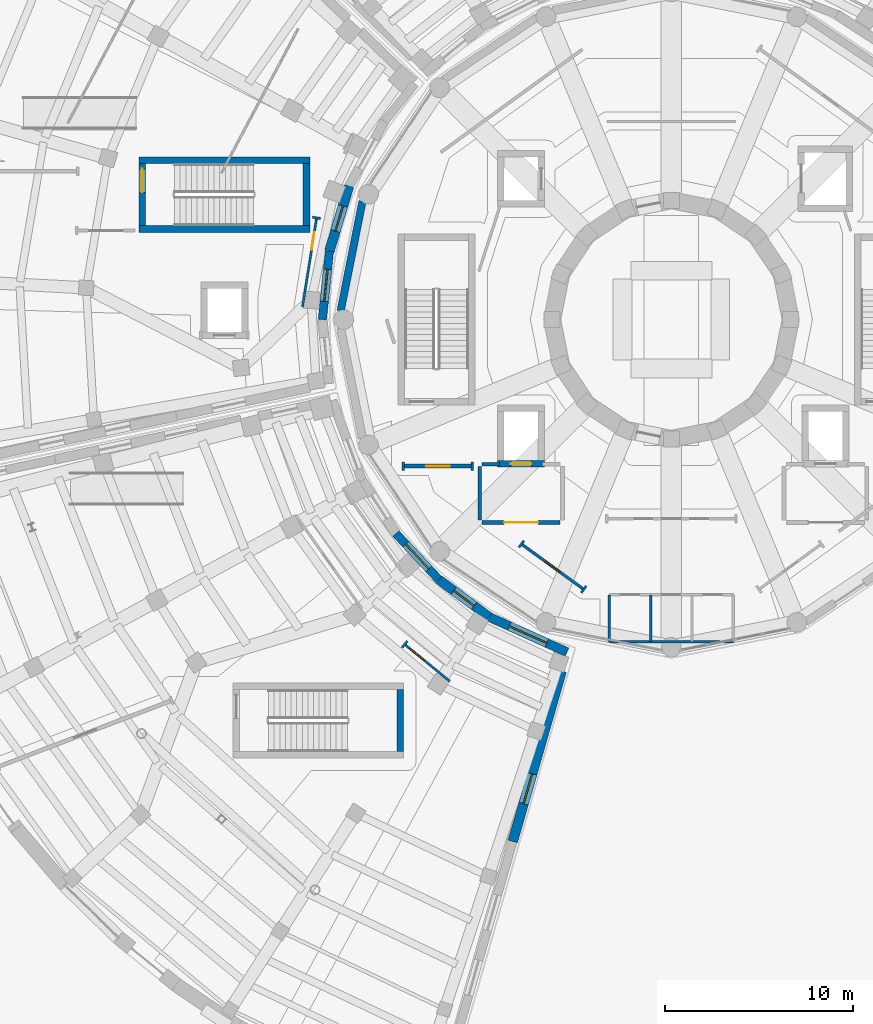
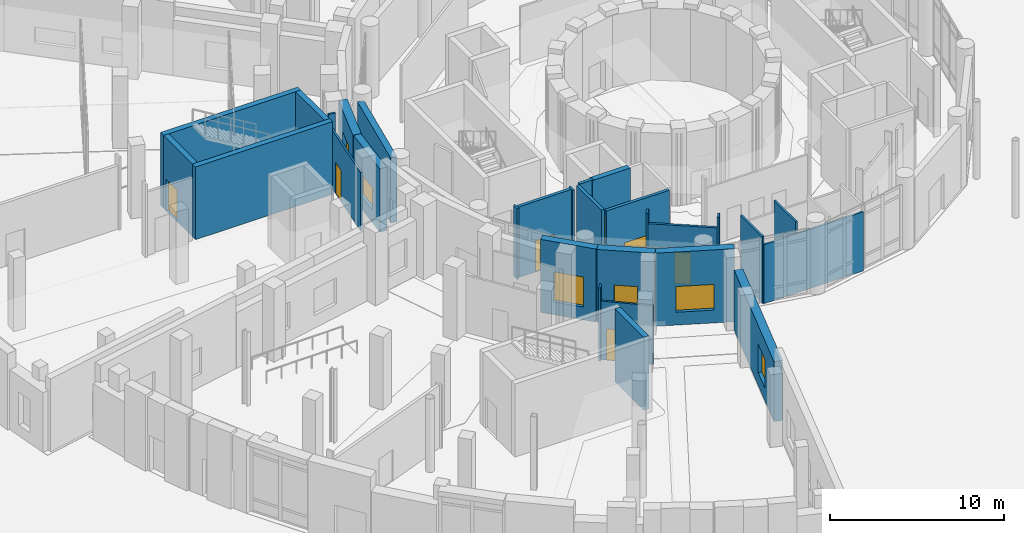
# One storey, part 43 of 74: 29 walls, 7 doors, 6 windows, 13 openings.
"""IFC4 building model written with IfcOpenShell, lengths in metres."""

from ifc_helpers import new_model, si_unit, direction, frame, frame_2d, origin, place, context, subcontext, project, spatial, rectangle, extrude, material, layer, layer_set, type_object, element, fill, save


model = new_model("IFC4")

# Units and contexts
model_context = context("Model", 3, precision=1e-05, world=origin(), true_north=direction((0.0, 1.0)))
body_context = subcontext(model_context, "Body", "Model", "MODEL_VIEW")
ifc_project = project(units=[si_unit("LENGTHUNIT", "METRE"), si_unit("AREAUNIT", "SQUARE_METRE"), si_unit("VOLUMEUNIT", "CUBIC_METRE"), si_unit("PLANEANGLEUNIT", "RADIAN"), si_unit("MASSUNIT", "GRAM", prefix="KILO")], contexts=[model_context])

# Site, building, storey
site_placement = place(None, origin())
site = spatial("IfcSite", under=ifc_project, at=site_placement, CompositionType="ELEMENT")
building_placement = place(site_placement, origin())
building = spatial("IfcBuilding", under=site, at=building_placement, Name="Soyqirgoq Riverine Aquarium", CompositionType="ELEMENT")
storey_placement = place(building_placement, origin())
storey = spatial("IfcBuildingStorey", under=building, at=storey_placement, Name="L01", CompositionType="ELEMENT", Elevation=0.0)

# Wall, opening, door
ifc_material_1 = material(Name="Concrete C40/50", Category="concrete")
ifc_layer_1 = layer(ifc_material_1, 0.35009765625)
ifc_layer_set_1 = layer_set([ifc_layer_1], Name="Concrete C40/50")
wall_type_1 = type_object("IfcWallType", Name="CoreShearWall_350_C40", PredefinedType="SHEAR", material=ifc_layer_set_1)
wall_1_placement = place(storey_placement, frame((46.7451171875, 49.320068359375, 0.0), z_axis=(0.0, 0.0, 1.0), x_axis=(1.0, 0.0, 0.0)))
wall_1 = element("IfcWall", 1, at=wall_1_placement, inside=storey, type_object=wall_type_1, Name="Lift FFL-2 Shaft Wall L01 1", PredefinedType="SHEAR", context=body_context, shape_type="SweptSolid", body=[
    extrude(rectangle(XDim=2.509765625, YDim=0.35009765625, at=frame_2d((1.2548828125, 0.0))), origin(), (0.0, 0.0, 1.0), 5.050048828125),
])
opening_1_placement = place(wall_1_placement, frame((0.705078125, 0.0, 0.0)))
opening_1 = element("IfcOpeningElement", 2, at=opening_1_placement, cuts=wall_1, Name="Opening LD-01", PredefinedType="OPENING", context=body_context, shape_type="SweptSolid", body=[
    extrude(rectangle(XDim=1.10009765625, YDim=2.199951171875, at=frame_2d((0.550048828125, 1.10009765625))), frame((0.0, 0.18505859375, 0.0), z_axis=(0.0, -1.0, 0.0), x_axis=(1.0, 0.0, 0.0)), (0.0, 0.0, 1.0), 0.3701171875),
])
ifc_material_2 = material(Name="Brushed stainless steel telescopic lift landing door", Category="steel")
door_type_1 = type_object("IfcDoorType", Name="LiftLandingDoor_1100x2200", OperationType="SLIDING_TO_LEFT", PredefinedType="DOOR", material=ifc_material_2)
door_1_placement = place(opening_1_placement, origin())
door_1 = element("IfcDoor", 3, at=door_1_placement, inside=storey, type_object=door_type_1, Name="LD-FFL-2-L01 Lift FFL-2 L01 Sliding Landing Door", OperationType="SLIDING_TO_LEFT", OverallHeight=2.199951171875, OverallWidth=1.10009765625, PredefinedType="DOOR", context=body_context, shape_type="SweptSolid", body=[
    extrude(rectangle(XDim=1.10009765625, YDim=2.199951171875, at=frame_2d((0.550048828125, 1.10009765625))), frame((0.0, 0.02490234375, 0.0), z_axis=(0.0, -1.0, 0.0), x_axis=(1.0, 0.0, 0.0)), (0.0, 0.0, 1.0), 0.050048828125),
])
fill(opening_1, door_1)

# Walls
wall_2_placement = place(storey_placement, frame((41.574951171875, 34.0, 0.0), z_axis=(0.0, 0.0, 1.0), x_axis=(0.0, 1.0, 0.0)))
element("IfcWall", 4, at=wall_2_placement, inside=storey, type_object=wall_type_1, Name="CORE-2 L01 Stair Core Shear Wall BACK", PredefinedType="SHEAR", context=body_context, shape_type="SweptSolid", body=[
    extrude(rectangle(XDim=3.300048828125, YDim=0.35009765625, at=frame_2d((1.64990234375, 0.0))), origin(), (0.0, 0.0, 1.0), 5.1201171875),
])
wall_3_placement = place(storey_placement, frame((27.64990234375, 61.824951171875, 0.0), z_axis=(0.0, 0.0, 1.0), x_axis=(1.0, 0.0, 0.0)))
element("IfcWall", 5, at=wall_3_placement, inside=storey, type_object=wall_type_1, Name="CORE-3 L01 Stair Core Shear Wall SIDE1", PredefinedType="SHEAR", context=body_context, shape_type="SweptSolid", body=[
    extrude(rectangle(XDim=9.10009765625, YDim=0.35009765625, at=frame_2d((4.550048828125, 0.0))), origin(), (0.0, 0.0, 1.0), 5.10009765625),
])
wall_4_placement = place(storey_placement, frame((36.574951171875, 62.0, 0.0), z_axis=(0.0, 0.0, 1.0), x_axis=(0.0, 1.0, 0.0)))
element("IfcWall", 6, at=wall_4_placement, inside=storey, type_object=wall_type_1, Name="CORE-3 L01 Stair Core Shear Wall BACK", PredefinedType="SHEAR", context=body_context, shape_type="SweptSolid", body=[
    extrude(rectangle(XDim=3.300048828125, YDim=0.35009765625, at=frame_2d((1.64990234375, 0.0))), origin(), (0.0, 0.0, 1.0), 5.10009765625),
])
wall_5_placement = place(storey_placement, frame((36.75, 65.47509765625, 0.0), z_axis=(0.0, 0.0, 1.0), x_axis=(-1.0, 0.0, 0.0)))
element("IfcWall", 7, at=wall_5_placement, inside=storey, type_object=wall_type_1, Name="CORE-3 L01 Stair Core Shear Wall SIDE2", PredefinedType="SHEAR", context=body_context, shape_type="SweptSolid", body=[
    extrude(rectangle(XDim=9.10009765625, YDim=0.35009765625, at=frame_2d((4.550048828125, 0.0))), origin(), (0.0, 0.0, 1.0), 5.10009765625),
])

# Wall, opening, door
wall_6_placement = place(storey_placement, frame((27.824951171875, 65.300048828125, 0.0), z_axis=(0.0, 0.0, 1.0), x_axis=(0.0, -1.0, 0.0)))
wall_6 = element("IfcWall", 8, at=wall_6_placement, inside=storey, type_object=wall_type_1, Name="CORE-3 L01 Stair Core Shear Wall FRONT", PredefinedType="SHEAR", context=body_context, shape_type="SweptSolid", body=[
    extrude(rectangle(XDim=3.300048828125, YDim=0.35009765625, at=frame_2d((1.64990234375, 0.0))), origin(), (0.0, 0.0, 1.0), 5.10009765625),
])
opening_2_placement = place(wall_6_placement, frame((0.280029296875, 0.0, 0.0)))
opening_2 = element("IfcOpeningElement", 9, at=opening_2_placement, cuts=wall_6, Name="Opening FD-01", PredefinedType="OPENING", context=body_context, shape_type="SweptSolid", body=[
    extrude(rectangle(XDim=1.25, YDim=2.199951171875, at=frame_2d((0.625, 1.10009765625))), frame((0.0, 0.18505859375, 0.0), z_axis=(0.0, -1.0, 0.0), x_axis=(1.0, 0.0, 0.0)), (0.0, 0.0, 1.0), 0.3701171875),
])
ifc_material_3 = material(Name="Galvanised steel fire-resisting stair door", Category="steel")
door_type_2 = type_object("IfcDoorType", Name="StairFireDoor_1250x2200_EI90", OperationType="NOTDEFINED", PredefinedType="DOOR", material=ifc_material_3)
door_2_placement = place(opening_2_placement, origin())
door_2 = element("IfcDoor", 10, at=door_2_placement, inside=storey, type_object=door_type_2, Name="DR-ST-3-L01 ST-3 L01 Fire-Rated Stairwell Door", OperationType="SINGLE_SWING_RIGHT", OverallHeight=2.199951171875, OverallWidth=1.25, PredefinedType="DOOR", context=body_context, shape_type="SweptSolid", body=[
    extrude(rectangle(XDim=1.25, YDim=2.199951171875, at=frame_2d((0.625, 1.10009765625))), frame((0.0, 0.02490234375, 0.0), z_axis=(0.0, -1.0, 0.0), x_axis=(1.0, 0.0, 0.0)), (0.0, 0.0, 1.0), 0.050048828125),
])
fill(opening_2, door_2)

# Walls
ifc_material_4 = material(Name="Lightweight steel-stud gypsum partition", Category="steel")
ifc_layer_2 = layer(ifc_material_4, 0.1201171875)
ifc_layer_set_2 = layer_set([ifc_layer_2], Name="Lightweight steel-stud gypsum partition")
wall_type_2 = type_object("IfcWallType", Name="PartitionWall_120_Std", PredefinedType="PARTITIONING", material=ifc_layer_set_2)
for number, where, z_axis, x_axis, name in (
    (11, (41.723388671875, 48.97998046875, 0.0), (0.0, 0.0, 1.0), (0.0, 1.0, 0.0), "V1 L01 Jamb Return Pier"),
    (12, (45.39990234375, 48.97998046875, 0.0), (0.0, 0.0, 1.0), (0.0, 1.0, 0.0), "V1 L01 Jamb Return Pier"),
    (13, (47.885986328125, 44.8720703125, 0.0), (0.0, 0.0, 1.0), (0.587676645097, 0.809095890984, 0.0), "V1 L01 Jamb Return Pier"),
    (14, (51.20458984375, 42.4609375, 0.0), (0.0, 0.0, 1.0), (0.587676645097, 0.809095890984, 0.0), "V1 L01 Jamb Return Pier"),
):
    element("IfcWall", number, at=place(storey_placement, frame(where, z_axis=z_axis, x_axis=x_axis)), inside=storey, type_object=wall_type_2, Name=name, PredefinedType="PARTITIONING", context=body_context, shape_type="SweptSolid", body=[
        extrude(rectangle(XDim=0.43994140625, YDim=0.1201171875, at=frame_2d((0.219970703125, 0.0))), origin(), (0.0, 0.0, 1.0), 4.949951171875),
    ])

# Wall, opening, door
wall_7_placement = place(storey_placement, frame((44.201904296875, 37.747314453125, 0.0), z_axis=(0.0, 0.0, 1.0), x_axis=(-0.77442350194, 0.632667558552, 0.0)))
wall_7 = element("IfcWall", 15, at=wall_7_placement, inside=storey, type_object=wall_type_2, Name="Riverine Cafe Partition Wall", PredefinedType="PARTITIONING", context=body_context, shape_type="SweptSolid", body=[
    extrude(rectangle(XDim=3.101806640625, YDim=0.1201171875, at=frame_2d((1.55078125, 0.0))), origin(), (0.0, 0.0, 1.0), 4.110107421875),
])
opening_3_placement = place(wall_7_placement, frame((1.764404296875, 0.0, 0.0)))
opening_3 = element("IfcOpeningElement", 16, at=opening_3_placement, cuts=wall_7, Name="Opening ID-06", PredefinedType="OPENING", context=body_context, shape_type="SweptSolid", body=[
    extrude(rectangle(XDim=0.949951171875, YDim=2.199951171875, at=frame_2d((0.47509765625, 1.10009765625))), frame((0.0, 0.070068359375, 0.0), z_axis=(0.0, -1.0, 0.0), x_axis=(1.0, 0.0, 0.0)), (0.0, 0.0, 1.0), 0.14013671875),
])
ifc_material_5 = material(Name="Moisture-resistant HPL washroom door", Category="wood")
door_type_3 = type_object("IfcDoorType", Name="WCDoor_950x2200", OperationType="NOTDEFINED", PredefinedType="DOOR", material=ifc_material_5)
door_3_placement = place(opening_3_placement, origin())
door_3 = element("IfcDoor", 17, at=door_3_placement, inside=storey, type_object=door_type_3, Name="IDR-V2-L01-0083 Riverine Cafe Access Door", OperationType="SINGLE_SWING_LEFT", OverallHeight=2.199951171875, OverallWidth=0.949951171875, PredefinedType="DOOR", context=body_context, shape_type="SweptSolid", body=[
    extrude(rectangle(XDim=0.949951171875, YDim=2.199951171875, at=frame_2d((0.47509765625, 1.10009765625))), frame((0.0, 0.02490234375, 0.0), z_axis=(0.0, -1.0, 0.0), x_axis=(1.0, 0.0, 0.0)), (0.0, 0.0, 1.0), 0.050048828125),
])
fill(opening_3, door_3)

# Wall
wall_8_placement = place(storey_placement, frame((41.939208984375, 39.8798828125, 0.0), z_axis=(0.0, 0.0, 1.0), x_axis=(-0.633116917807, -0.774056179089, 0.0)))
element("IfcWall", 18, at=wall_8_placement, inside=storey, type_object=wall_type_2, Name="V2 L01 Jamb Return Pier", PredefinedType="PARTITIONING", context=body_context, shape_type="SweptSolid", body=[
    extrude(rectangle(XDim=0.43994140625, YDim=0.1201171875, at=frame_2d((0.219970703125, 0.0))), origin(), (0.0, 0.0, 1.0), 5.1201171875),
])

# Wall, opening, door
wall_9_placement = place(storey_placement, frame((36.362060546875, 57.685791015625, 0.0), z_axis=(0.0, 0.0, 1.0), x_axis=(0.156391852422, 0.987695088829, 0.0)))
wall_9 = element("IfcWall", 19, at=wall_9_placement, inside=storey, type_object=wall_type_2, Name="V3 Gallery Circulation Corridor Partition Wall", PredefinedType="PARTITIONING", context=body_context, shape_type="SweptSolid", body=[
    extrude(rectangle(XDim=4.789306640625, YDim=0.1201171875, at=frame_2d((2.39453125, 0.0))), origin(), (0.0, 0.0, 1.0), 4.090087890625),
])
opening_4_placement = place(wall_9_placement, frame((3.071533203125, 0.0, 0.0)))
opening_4 = element("IfcOpeningElement", 20, at=opening_4_placement, cuts=wall_9, Name="Opening ID-06", PredefinedType="OPENING", context=body_context, shape_type="SweptSolid", body=[
    extrude(rectangle(XDim=0.949951171875, YDim=2.199951171875, at=frame_2d((0.47509765625, 1.10009765625))), frame((0.0, 0.070068359375, 0.0), z_axis=(0.0, -1.0, 0.0), x_axis=(1.0, 0.0, 0.0)), (0.0, 0.0, 1.0), 0.14013671875),
])
door_4_placement = place(opening_4_placement, origin())
door_4 = element("IfcDoor", 21, at=door_4_placement, inside=storey, type_object=door_type_3, Name="IDR-V3-L01-0093 Riverine Gallery Door", OperationType="SINGLE_SWING_RIGHT", OverallHeight=2.199951171875, OverallWidth=0.949951171875, PredefinedType="DOOR", context=body_context, shape_type="SweptSolid", body=[
    extrude(rectangle(XDim=0.949951171875, YDim=2.199951171875, at=frame_2d((0.47509765625, 1.10009765625))), frame((0.0, 0.02490234375, 0.0), z_axis=(0.0, -1.0, 0.0), x_axis=(1.0, 0.0, 0.0)), (0.0, 0.0, 1.0), 0.050048828125),
])
fill(opening_4, door_4)

# Walls
wall_10_placement = place(storey_placement, frame((37.32861328125, 62.3818359375, 0.0), z_axis=(0.0, 0.0, 1.0), x_axis=(-0.987695424831, 0.156389730378, 0.0)))
element("IfcWall", 22, at=wall_10_placement, inside=storey, type_object=wall_type_2, Name="V3 L01 Jamb Return Pier", PredefinedType="PARTITIONING", context=body_context, shape_type="SweptSolid", body=[
    extrude(rectangle(XDim=0.440185546875, YDim=0.1201171875, at=frame_2d((0.22021484375, 0.0))), origin(), (0.0, 0.0, 1.0), 5.10009765625),
])
ifc_material_6 = material(Name="Moisture-resistant cement-board wet-room partition", Category="gypsum")
ifc_layer_3 = layer(ifc_material_6, 0.125)
ifc_layer_set_3 = layer_set([ifc_layer_3], Name="Moisture-resistant cement-board wet-room partition")
wall_type_3 = type_object("IfcWallType", Name="PartitionWall_125_Wet", PredefinedType="PARTITIONING", material=ifc_layer_set_3)
wall_11_placement = place(storey_placement, frame((52.699951171875, 39.85009765625, 0.0), z_axis=(0.0, 0.0, 1.0), x_axis=(1.0, 0.0, 0.0)))
element("IfcWall", 23, at=wall_11_placement, inside=storey, type_object=wall_type_3, Name="V1 L01 WC Suite Back Wall", PredefinedType="PARTITIONING", context=body_context, shape_type="SweptSolid", body=[
    extrude(rectangle(XDim=6.60009765625, YDim=0.125, at=frame_2d((3.300048828125, 0.0))), origin(), (0.0, 0.0, 1.0), 4.139892578125),
])
wall_12_placement = place(storey_placement, frame((52.699951171875, 39.85009765625, 0.0), z_axis=(0.0, 0.0, 1.0), x_axis=(0.0, 1.0, 0.0)))
element("IfcWall", 24, at=wall_12_placement, inside=storey, type_object=wall_type_3, Name="V1 L01 WC Suite West Wall", PredefinedType="PARTITIONING", context=body_context, shape_type="SweptSolid", body=[
    extrude(rectangle(XDim=2.5, YDim=0.125, at=frame_2d((1.25, 0.0))), origin(), (0.0, 0.0, 1.0), 4.679931640625),
])
wall_13_placement = place(storey_placement, frame((54.89990234375, 39.85009765625, 0.0), z_axis=(0.0, 0.0, 1.0), x_axis=(0.0, 1.0, 0.0)))
element("IfcWall", 25, at=wall_13_placement, inside=storey, type_object=wall_type_3, Name="V1 L01 WC Cubicle Divider 1", PredefinedType="PARTITIONING", context=body_context, shape_type="SweptSolid", body=[
    extrude(rectangle(XDim=2.5, YDim=0.125, at=frame_2d((1.25, 0.0))), origin(), (0.0, 0.0, 1.0), 4.949951171875),
])

# Wall, opening, door
ifc_material_7 = material(Name="Acoustic mineral-wool twin-stud partition", Category="gypsum")
ifc_layer_4 = layer(ifc_material_7, 0.14990234375)
ifc_layer_set_4 = layer_set([ifc_layer_4], Name="Acoustic mineral-wool twin-stud partition")
wall_type_4 = type_object("IfcWallType", Name="PartitionWall_150_Acoustic", PredefinedType="PARTITIONING", material=ifc_layer_set_4)
wall_14_placement = place(storey_placement, frame((48.015380859375, 45.050048828125, 0.0), z_axis=(0.0, 0.0, 1.0), x_axis=(0.808993389874, -0.587817739729, 0.0)))
wall_14 = element("IfcWall", 26, at=wall_14_placement, inside=storey, type_object=wall_type_4, Name="Ocean Drum Circulation Corridor Partition Wall", PredefinedType="PARTITIONING", context=body_context, shape_type="SweptSolid", body=[
    extrude(rectangle(XDim=4.101806640625, YDim=0.14990234375, at=frame_2d((2.05078125, 0.0))), origin(), (0.0, 0.0, 1.0), 4.1201171875),
])
opening_5_placement = place(wall_14_placement, frame((1.575927734375, 0.0, 0.0)))
opening_5 = element("IfcOpeningElement", 27, at=opening_5_placement, cuts=wall_14, Name="Opening ID-06", PredefinedType="OPENING", context=body_context, shape_type="SweptSolid", body=[
    extrude(rectangle(XDim=0.949951171875, YDim=2.199951171875, at=frame_2d((0.47509765625, 1.10009765625))), frame((0.0, 0.0849609375, 0.0), z_axis=(0.0, -1.0, 0.0), x_axis=(1.0, 0.0, 0.0)), (0.0, 0.0, 1.0), 0.169921875),
])
door_5_placement = place(opening_5_placement, origin())
door_5 = element("IfcDoor", 28, at=door_5_placement, inside=storey, type_object=door_type_3, Name="IDR-V1-L01-0020 Ocean Tank Viewing Hall Access Door", OperationType="SINGLE_SWING_RIGHT", OverallHeight=2.199951171875, OverallWidth=0.949951171875, PredefinedType="DOOR", context=body_context, shape_type="SweptSolid", body=[
    extrude(rectangle(XDim=0.949951171875, YDim=2.199951171875, at=frame_2d((0.47509765625, 1.10009765625))), frame((0.0, 0.02490234375, 0.0), z_axis=(0.0, -1.0, 0.0), x_axis=(1.0, 0.0, 0.0)), (0.0, 0.0, 1.0), 0.050048828125),
])
fill(opening_5, door_5)

ifc_material_8 = material(Name="Fire-rated calcium silicate twin-stud partition", Category="gypsum")
ifc_layer_5 = layer(ifc_material_8, 0.199951171875)
ifc_layer_set_5 = layer_set([ifc_layer_5], Name="Fire-rated calcium silicate twin-stud partition")
wall_type_5 = type_object("IfcWallType", Name="PartitionWall_200_EI90", PredefinedType="PARTITIONING", material=ifc_layer_set_5)
wall_15_placement = place(storey_placement, frame((45.919921875, 46.199951171875, 0.0), z_axis=(0.0, 0.0, 1.0), x_axis=(1.0, 0.0, 0.0)))
wall_15 = element("IfcWall", 29, at=wall_15_placement, inside=storey, type_object=wall_type_5, Name="CORE-1B L01 Firefighting Lobby South Enclosure Wall", PredefinedType="PARTITIONING", context=body_context, shape_type="SweptSolid", body=[
    extrude(rectangle(XDim=4.16015625, YDim=0.199951171875, at=frame_2d((2.080078125, 0.0))), origin(), (0.0, 0.0, 1.0), 5.050048828125),
])
opening_6_placement = place(wall_15_placement, frame((1.179931640625, 0.0, 0.0)))
opening_6 = element("IfcOpeningElement", 30, at=opening_6_placement, cuts=wall_15, Name="Opening FD-02", PredefinedType="OPENING", context=body_context, shape_type="SweptSolid", body=[
    extrude(rectangle(XDim=1.800048828125, YDim=2.39990234375, at=frame_2d((0.89990234375, 1.199951171875))), frame((0.0, 0.10986328125, 0.0), z_axis=(0.0, -1.0, 0.0), x_axis=(1.0, 0.0, 0.0)), (0.0, 0.0, 1.0), 0.219970703125),
])
ifc_material_9 = material(Name="Glazed steel fire-resisting corridor double door", Category="steel")
door_type_4 = type_object("IfcDoorType", Name="LobbyFireDoor_1800x2400_EI60", OperationType="DOUBLE_DOOR_SINGLE_SWING", PredefinedType="DOOR", material=ifc_material_9)
door_6_placement = place(opening_6_placement, origin())
door_6 = element("IfcDoor", 31, at=door_6_placement, inside=storey, type_object=door_type_4, Name="DR-FFL-CORE-1B-L01 CORE-1B L01 Firefighting Lobby Fire Door", OperationType="DOUBLE_DOOR_SINGLE_SWING", OverallHeight=2.39990234375, OverallWidth=1.800048828125, PredefinedType="DOOR", context=body_context, shape_type="SweptSolid", body=[
    extrude(rectangle(XDim=1.800048828125, YDim=2.39990234375, at=frame_2d((0.89990234375, 1.199951171875))), frame((0.0, 0.02490234375, 0.0), z_axis=(0.0, -1.0, 0.0), x_axis=(1.0, 0.0, 0.0)), (0.0, 0.0, 1.0), 0.050048828125),
])
fill(opening_6, door_6)

# Walls
wall_16_placement = place(storey_placement, frame((45.800048828125, 46.320068359375, 0.0), z_axis=(0.0, 0.0, 1.0), x_axis=(0.0, 1.0, 0.0)))
element("IfcWall", 32, at=wall_16_placement, inside=storey, type_object=wall_type_5, Name="CORE-1B L01 Firefighting Lobby W Wall", PredefinedType="PARTITIONING", context=body_context, shape_type="SweptSolid", body=[
    extrude(rectangle(XDim=2.85986328125, YDim=0.199951171875, at=frame_2d((1.429931640625, 0.0))), origin(), (0.0, 0.0, 1.0), 5.050048828125),
])
wall_17_placement = place(storey_placement, frame((45.919921875, 49.300048828125, 0.0), z_axis=(0.0, 0.0, 1.0), x_axis=(1.0, 0.0, 0.0)))
element("IfcWall", 33, at=wall_17_placement, inside=storey, type_object=wall_type_5, Name="CORE-1B L01 Firefighting Lobby NL Wall", PredefinedType="PARTITIONING", context=body_context, shape_type="SweptSolid", body=[
    extrude(rectangle(XDim=0.93017578125, YDim=0.199951171875, at=frame_2d((0.465087890625, 0.0))), origin(), (0.0, 0.0, 1.0), 5.050048828125),
])

# Wall, opening, door
wall_18_placement = place(storey_placement, frame((41.723388671875, 49.199951171875, 0.0), z_axis=(0.0, 0.0, 1.0), x_axis=(1.0, 0.0, 0.0)))
wall_18 = element("IfcWall", 34, at=wall_18_placement, inside=storey, type_object=wall_type_5, Name="Stair Vestibule ST-9 Fire Enclosure Wall", PredefinedType="PARTITIONING", context=body_context, shape_type="SweptSolid", body=[
    extrude(rectangle(XDim=3.676513671875, YDim=0.199951171875, at=frame_2d((1.83837890625, 0.0))), origin(), (0.0, 0.0, 1.0), 4.949951171875),
])
opening_7_placement = place(wall_18_placement, frame((1.21337890625, 0.0, 0.0)))
opening_7 = element("IfcOpeningElement", 35, at=opening_7_placement, cuts=wall_18, Name="Opening FD-01", PredefinedType="OPENING", context=body_context, shape_type="SweptSolid", body=[
    extrude(rectangle(XDim=1.25, YDim=2.199951171875, at=frame_2d((0.625, 1.10009765625))), frame((0.0, 0.10986328125, 0.0), z_axis=(0.0, -1.0, 0.0), x_axis=(1.0, 0.0, 0.0)), (0.0, 0.0, 1.0), 0.219970703125),
])
door_7_placement = place(opening_7_placement, origin())
door_7 = element("IfcDoor", 36, at=door_7_placement, inside=storey, type_object=door_type_2, Name="IDR-V1-L01-0016 Stair Vestibule ST-9 Egress Fire Door", OperationType="SINGLE_SWING_LEFT", OverallHeight=2.199951171875, OverallWidth=1.25, PredefinedType="DOOR", context=body_context, shape_type="SweptSolid", body=[
    extrude(rectangle(XDim=1.25, YDim=2.199951171875, at=frame_2d((0.625, 1.10009765625))), frame((0.0, 0.02490234375, 0.0), z_axis=(0.0, -1.0, 0.0), x_axis=(1.0, 0.0, 0.0)), (0.0, 0.0, 1.0), 0.050048828125),
])
fill(opening_7, door_7)

# Wall, opening, window
ifc_material_10 = material(Name="Honed travertine limestone cavity wall", Category="masonry")
ifc_layer_6 = layer(ifc_material_10, 0.449951171875)
ifc_layer_set_6 = layer_set([ifc_layer_6], Name="Honed travertine limestone cavity wall")
wall_type_6 = type_object("IfcWallType", Name="TravertineCavityWall_450", PredefinedType="SOLIDWALL", material=ifc_layer_set_6)
wall_19_placement = place(storey_placement, frame((41.333251953125, 45.609619140625, 0.0), z_axis=(0.0, 0.0, 1.0), x_axis=(0.681967080434, -0.731382869094, 0.0)))
wall_19 = element("IfcWall", 37, at=wall_19_placement, inside=storey, type_object=wall_type_6, Name="V2 L01 Exterior Travertine Wall 0053", PredefinedType="SOLIDWALL", context=body_context, shape_type="SweptSolid", body=[
    extrude(rectangle(XDim=3.3447265625, YDim=0.449951171875, at=frame_2d((1.67236328125, 0.0))), origin(), (0.0, 0.0, 1.0), 5.1201171875),
])
opening_8_placement = place(wall_19_placement, frame((0.772216796875, 0.0, 0.89990234375)))
opening_8 = element("IfcOpeningElement", 38, at=opening_8_placement, cuts=wall_19, Name="Opening WN-05", PredefinedType="OPENING", context=body_context, shape_type="SweptSolid", body=[
    extrude(rectangle(XDim=1.800048828125, YDim=2.10009765625, at=frame_2d((0.89990234375, 1.050048828125))), frame((0.0, 0.23486328125, 0.0), z_axis=(0.0, -1.0, 0.0), x_axis=(1.0, 0.0, 0.0)), (0.0, 0.0, 1.0), 0.469970703125),
])
ifc_material_11 = material(Name="Thermally broken aluminium triple low-E window", Category="aluminium")
window_type_1 = type_object("IfcWindowType", Name="Win_Gallery_1800x2100", PartitioningType="DOUBLE_PANEL_VERTICAL", PredefinedType="WINDOW", material=ifc_material_11)
window_1_placement = place(opening_8_placement, origin())
window_1 = element("IfcWindow", 39, at=window_1_placement, inside=storey, type_object=window_type_1, Name="V2 L01 Facade Window 0023", OverallHeight=2.10009765625, OverallWidth=1.800048828125, PartitioningType="DOUBLE_PANEL_VERTICAL", PredefinedType="WINDOW", context=body_context, shape_type="SweptSolid", body=[
    extrude(rectangle(XDim=1.800048828125, YDim=2.10009765625, at=frame_2d((0.89990234375, 1.050048828125))), frame((0.0, 0.030029296875, 0.0), z_axis=(0.0, -1.0, 0.0), x_axis=(1.0, 0.0, 0.0)), (0.0, 0.0, 1.0), 0.06005859375),
])
fill(opening_8, window_1)

wall_20_placement = place(storey_placement, frame((37.791748046875, 60.6494140625, 0.0), z_axis=(0.0, 0.0, 1.0), x_axis=(-0.101618529077, -0.994823438882, 0.0)))
wall_20 = element("IfcWall", 40, at=wall_20_placement, inside=storey, type_object=wall_type_6, Name="V3 L01 Exterior Travertine Wall 0095", PredefinedType="SOLIDWALL", context=body_context, shape_type="SweptSolid", body=[
    extrude(rectangle(XDim=3.668701171875, YDim=0.449951171875, at=frame_2d((1.83447265625, 0.0))), origin(), (0.0, 0.0, 1.0), 4.43994140625),
])
opening_9_placement = place(wall_20_placement, frame((0.984375, 0.0, 0.89990234375)))
opening_9 = element("IfcOpeningElement", 41, at=opening_9_placement, cuts=wall_20, Name="Opening WN-21", PredefinedType="OPENING", context=body_context, shape_type="SweptSolid", body=[
    extrude(rectangle(XDim=1.699951171875, YDim=1.550048828125, at=frame_2d((0.85009765625, 0.77490234375))), frame((0.0, 0.23486328125, 0.0), z_axis=(0.0, -1.0, 0.0), x_axis=(1.0, 0.0, 0.0)), (0.0, 0.0, 1.0), 0.469970703125),
])
ifc_material_12 = material(Name="Thermally broken aluminium triple low-E window", Category="aluminium")
window_type_2 = type_object("IfcWindowType", Name="Win_Lab_1700x1550", PartitioningType="DOUBLE_PANEL_VERTICAL", PredefinedType="WINDOW", material=ifc_material_12)
window_2_placement = place(opening_9_placement, origin())
window_2 = element("IfcWindow", 42, at=window_2_placement, inside=storey, type_object=window_type_2, Name="V3 L01 Facade Window 0061", OverallHeight=1.550048828125, OverallWidth=1.699951171875, PartitioningType="DOUBLE_PANEL_VERTICAL", PredefinedType="WINDOW", context=body_context, shape_type="SweptSolid", body=[
    extrude(rectangle(XDim=1.699951171875, YDim=1.550048828125, at=frame_2d((0.85009765625, 0.77490234375))), frame((0.0, 0.030029296875, 0.0), z_axis=(0.0, -1.0, 0.0), x_axis=(1.0, 0.0, 0.0)), (0.0, 0.0, 1.0), 0.06005859375),
])
fill(opening_9, window_2)

ifc_material_13 = material(Name="Honed travertine limestone cavity wall", Category="masonry")
ifc_layer_7 = layer(ifc_material_13, 0.47998046875)
ifc_layer_set_7 = layer_set([ifc_layer_7], Name="Honed travertine limestone cavity wall")
wall_type_7 = type_object("IfcWallType", Name="TravertineCavityWall_480", PredefinedType="SOLIDWALL", material=ifc_layer_set_7)
wall_21_placement = place(storey_placement, frame((46.297119140625, 41.166259765625, 0.0), z_axis=(0.0, 0.0, 1.0), x_axis=(0.911600950939, -0.411076277894, 0.0)))
wall_21 = element("IfcWall", 43, at=wall_21_placement, inside=storey, type_object=wall_type_7, Name="V2 L01 Exterior Travertine Wall 0055", PredefinedType="SOLIDWALL", context=body_context, shape_type="SweptSolid", body=[
    extrude(rectangle(XDim=4.5498046875, YDim=0.47998046875, at=frame_2d((2.27490234375, 0.0))), origin(), (0.0, 0.0, 1.0), 5.1201171875),
])
opening_10_placement = place(wall_21_placement, frame((1.175048828125, 0.0, 0.89990234375)))
opening_10 = element("IfcOpeningElement", 44, at=opening_10_placement, cuts=wall_21, Name="Opening WN-09", PredefinedType="OPENING", context=body_context, shape_type="SweptSolid", body=[
    extrude(rectangle(XDim=2.199951171875, YDim=1.800048828125, at=frame_2d((1.10009765625, 0.89990234375))), frame((0.0, 0.25, 0.0), z_axis=(0.0, -1.0, 0.0), x_axis=(1.0, 0.0, 0.0)), (0.0, 0.0, 1.0), 0.5),
])
ifc_material_14 = material(Name="Thermally broken aluminium triple low-E window", Category="aluminium")
window_type_3 = type_object("IfcWindowType", Name="Win_Office_2200x1800", PartitioningType="TRIPLE_PANEL_VERTICAL", PredefinedType="WINDOW", material=ifc_material_14)
window_3_placement = place(opening_10_placement, origin())
window_3 = element("IfcWindow", 45, at=window_3_placement, inside=storey, type_object=window_type_3, Name="V2 L01 Facade Window 0025", OverallHeight=1.800048828125, OverallWidth=2.199951171875, PartitioningType="TRIPLE_PANEL_VERTICAL", PredefinedType="WINDOW", context=body_context, shape_type="SweptSolid", body=[
    extrude(rectangle(XDim=2.199951171875, YDim=1.800048828125, at=frame_2d((1.10009765625, 0.89990234375))), frame((0.0, 0.030029296875, 0.0), z_axis=(0.0, -1.0, 0.0), x_axis=(1.0, 0.0, 0.0)), (0.0, 0.0, 1.0), 0.06005859375),
])
fill(opening_10, window_3)

ifc_material_15 = material(Name="Honed travertine limestone cavity wall", Category="masonry")
ifc_layer_8 = layer(ifc_material_15, 0.5)
ifc_layer_set_8 = layer_set([ifc_layer_8], Name="Honed travertine limestone cavity wall")
wall_type_8 = type_object("IfcWallType", Name="TravertineCavityWall_500", PredefinedType="SOLIDWALL", material=ifc_layer_set_8)
wall_22_placement = place(storey_placement, frame((43.6142578125, 43.163330078125, 0.0), z_axis=(0.0, 0.0, 1.0), x_axis=(0.802158414538, -0.597111277725, 0.0)))
wall_22 = element("IfcWall", 46, at=wall_22_placement, inside=storey, type_object=wall_type_8, Name="V2 L01 Exterior Travertine Wall 0054", PredefinedType="SOLIDWALL", context=body_context, shape_type="SweptSolid", body=[
    extrude(rectangle(XDim=3.344482421875, YDim=0.5, at=frame_2d((1.67236328125, 0.0))), origin(), (0.0, 0.0, 1.0), 5.1201171875),
])
opening_11_placement = place(wall_22_placement, frame((0.997314453125, 0.0, 0.89990234375)))
opening_11 = element("IfcOpeningElement", 47, at=opening_11_placement, cuts=wall_22, Name="Opening WN-08", PredefinedType="OPENING", context=body_context, shape_type="SweptSolid", body=[
    extrude(rectangle(XDim=1.35009765625, YDim=1.800048828125, at=frame_2d((0.675048828125, 0.89990234375))), frame((0.0, 0.260009765625, 0.0), z_axis=(0.0, -1.0, 0.0), x_axis=(1.0, 0.0, 0.0)), (0.0, 0.0, 1.0), 0.52001953125),
])
ifc_material_16 = material(Name="Thermally broken aluminium triple low-E window", Category="aluminium")
window_type_4 = type_object("IfcWindowType", Name="Win_Office_1350x1800", PartitioningType="DOUBLE_PANEL_VERTICAL", PredefinedType="WINDOW", material=ifc_material_16)
window_4_placement = place(opening_11_placement, origin())
window_4 = element("IfcWindow", 48, at=window_4_placement, inside=storey, type_object=window_type_4, Name="V2 L01 Facade Window 0024", OverallHeight=1.800048828125, OverallWidth=1.35009765625, PartitioningType="DOUBLE_PANEL_VERTICAL", PredefinedType="WINDOW", context=body_context, shape_type="SweptSolid", body=[
    extrude(rectangle(XDim=1.35009765625, YDim=1.800048828125, at=frame_2d((0.675048828125, 0.89990234375))), frame((0.0, 0.030029296875, 0.0), z_axis=(0.0, -1.0, 0.0), x_axis=(1.0, 0.0, 0.0)), (0.0, 0.0, 1.0), 0.06005859375),
])
fill(opening_11, window_4)

ifc_material_17 = material(Name="Honed travertine limestone cavity wall", Category="masonry")
ifc_layer_9 = layer(ifc_material_17, 0.52001953125)
ifc_layer_set_9 = layer_set([ifc_layer_9], Name="Honed travertine limestone cavity wall")
wall_type_9 = type_object("IfcWallType", Name="TravertineCavityWall_520", PredefinedType="SOLIDWALL", material=ifc_layer_set_9)
wall_23_placement = place(storey_placement, frame((50.157470703125, 38.2939453125, 0.0), z_axis=(0.0, 0.0, 1.0), x_axis=(-0.275618865699, -0.961266997702, 0.0)))
wall_23 = element("IfcWall", 49, at=wall_23_placement, inside=storey, type_object=wall_type_9, Name="V2 L01 Exterior Travertine Wall 0056", PredefinedType="SOLIDWALL", context=body_context, shape_type="SweptSolid", body=[
    extrude(rectangle(XDim=9.445068359375, YDim=0.52001953125, at=frame_2d((4.72265625, 0.0))), origin(), (0.0, 0.0, 1.0), 4.2099609375),
])
opening_12_placement = place(wall_23_placement, frame((5.69775390625, 0.0, 0.89990234375)))
opening_12 = element("IfcOpeningElement", 50, at=opening_12_placement, cuts=wall_23, Name="Opening WN-13", PredefinedType="OPENING", context=body_context, shape_type="SweptSolid", body=[
    extrude(rectangle(XDim=1.64990234375, YDim=2.0, at=frame_2d((0.824951171875, 1.0))), frame((0.0, 0.27001953125, 0.0), z_axis=(0.0, -1.0, 0.0), x_axis=(1.0, 0.0, 0.0)), (0.0, 0.0, 1.0), 0.5400390625),
])
ifc_material_18 = material(Name="Thermally broken aluminium triple low-E window", Category="aluminium")
window_type_5 = type_object("IfcWindowType", Name="Win_Gallery_1650x2000", PartitioningType="DOUBLE_PANEL_VERTICAL", PredefinedType="WINDOW", material=ifc_material_18)
window_5_placement = place(opening_12_placement, origin())
window_5 = element("IfcWindow", 51, at=window_5_placement, inside=storey, type_object=window_type_5, Name="V2 L01 Facade Window 0026", OverallHeight=2.0, OverallWidth=1.64990234375, PartitioningType="DOUBLE_PANEL_VERTICAL", PredefinedType="WINDOW", context=body_context, shape_type="SweptSolid", body=[
    extrude(rectangle(XDim=1.64990234375, YDim=2.0, at=frame_2d((0.824951171875, 1.0))), frame((0.0, 0.030029296875, 0.0), z_axis=(0.0, -1.0, 0.0), x_axis=(1.0, 0.0, 0.0)), (0.0, 0.0, 1.0), 0.06005859375),
])
fill(opening_12, window_5)

wall_24_placement = place(storey_placement, frame((38.83349609375, 64.11083984375, 0.0), z_axis=(0.0, 0.0, 1.0), x_axis=(-0.288190467342, -0.957573106626, 0.0)))
wall_24 = element("IfcWall", 52, at=wall_24_placement, inside=storey, type_object=wall_type_9, Name="V3 L01 Exterior Travertine Wall 0094", PredefinedType="SOLIDWALL", context=body_context, shape_type="SweptSolid", body=[
    extrude(rectangle(XDim=3.61474609375, YDim=0.52001953125, at=frame_2d((1.807373046875, 0.0))), origin(), (0.0, 0.0, 1.0), 4.43994140625),
])
opening_13_placement = place(wall_24_placement, frame((1.107421875, 0.0, 0.89990234375)))
opening_13 = element("IfcOpeningElement", 53, at=opening_13_placement, cuts=wall_24, Name="Opening WN-20", PredefinedType="OPENING", context=body_context, shape_type="SweptSolid", body=[
    extrude(rectangle(XDim=1.39990234375, YDim=2.050048828125, at=frame_2d((0.699951171875, 1.02490234375))), frame((0.0, 0.27001953125, 0.0), z_axis=(0.0, -1.0, 0.0), x_axis=(1.0, 0.0, 0.0)), (0.0, 0.0, 1.0), 0.5400390625),
])
ifc_material_19 = material(Name="Thermally broken aluminium triple low-E window", Category="aluminium")
window_type_6 = type_object("IfcWindowType", Name="Win_Gallery_1400x2050", PartitioningType="DOUBLE_PANEL_VERTICAL", PredefinedType="WINDOW", material=ifc_material_19)
window_6_placement = place(opening_13_placement, origin())
window_6 = element("IfcWindow", 54, at=window_6_placement, inside=storey, type_object=window_type_6, Name="V3 L01 Facade Window 0060", OverallHeight=2.050048828125, OverallWidth=1.39990234375, PartitioningType="DOUBLE_PANEL_VERTICAL", PredefinedType="WINDOW", context=body_context, shape_type="SweptSolid", body=[
    extrude(rectangle(XDim=1.39990234375, YDim=2.050048828125, at=frame_2d((0.699951171875, 1.02490234375))), frame((0.0, 0.030029296875, 0.0), z_axis=(0.0, -1.0, 0.0), x_axis=(1.0, 0.0, 0.0)), (0.0, 0.0, 1.0), 0.06005859375),
])
fill(opening_13, window_6)

# Wall
ifc_material_20 = material(Name="Honed travertine limestone cavity wall", Category="masonry")
ifc_layer_10 = layer(ifc_material_20, 0.39990234375)
ifc_layer_set_10 = layer_set([ifc_layer_10], Name="Honed travertine limestone cavity wall")
wall_type_10 = type_object("IfcWallType", Name="TravertineSpandrelWall_400", PredefinedType="SOLIDWALL", material=ifc_layer_set_10)
wall_25_placement = place(storey_placement, frame((38.393310546875, 57.468994140625, 0.0), z_axis=(0.0, 0.0, 1.0), x_axis=(0.19507439879, 0.980788447596, 0.0)))
element("IfcWall", 55, at=wall_25_placement, inside=storey, type_object=wall_type_10, Name="V1 L01 Exterior Travertine Wall 0028", PredefinedType="SOLIDWALL", context=body_context, shape_type="SweptSolid", body=[
    extrude(rectangle(XDim=5.94970703125, YDim=0.39990234375, at=frame_2d((2.974853515625, 0.0))), origin(), (0.0, 0.0, 1.0), 4.550048828125),
])

save(model, "model.ifc")
